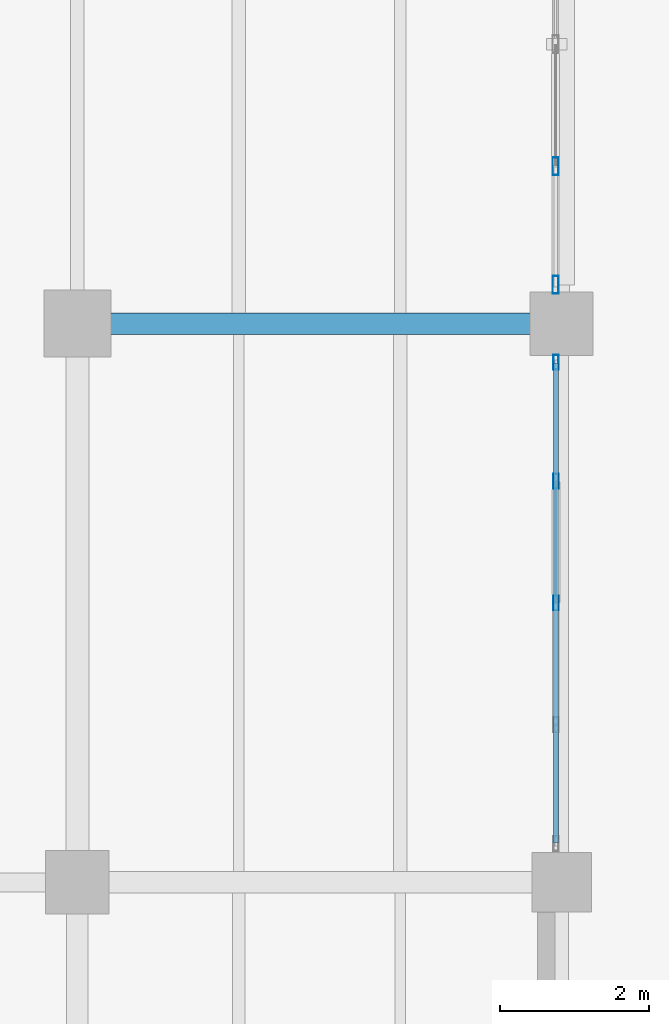
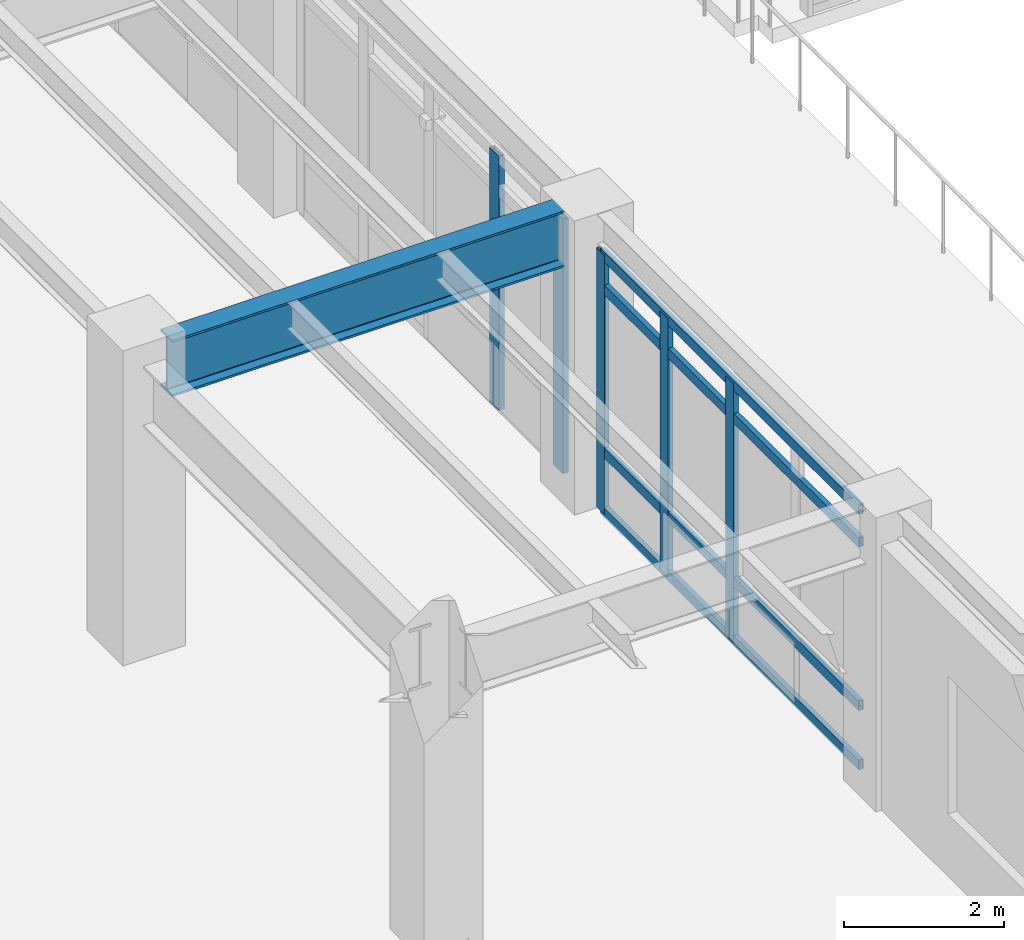
# One storey, part 110 of 200: 9 members, 1 beam, 2 elements without a shape of their own.
"""IFC4 building model written with IfcOpenShell, lengths in metres."""

from ifc_helpers import new_model, si_unit, direction, frame, origin, origin_2d, place, context, subcontext, project, spatial, hollow_rectangle, i_section, extrude, material, material_profile, profile_set, type_object, element, aggregate, save


model = new_model("IFC4")

# Units and contexts
model_context = context("Model", 3, precision=1e-05, world=origin(), true_north=direction((0.0, 1.0)))
body_context = subcontext(model_context, "Body", "Model", "MODEL_VIEW")
ifc_project = project(units=[si_unit("LENGTHUNIT", "METRE"), si_unit("AREAUNIT", "SQUARE_METRE"), si_unit("VOLUMEUNIT", "CUBIC_METRE"), si_unit("PLANEANGLEUNIT", "RADIAN"), si_unit("MASSUNIT", "GRAM", prefix="KILO"), si_unit("THERMODYNAMICTEMPERATUREUNIT", "KELVIN"), si_unit("POWERUNIT", "WATT")], contexts=[model_context])

# Site, building, storey
site_placement = place(None, origin())
site = spatial("IfcSite", under=ifc_project, at=site_placement, CompositionType="ELEMENT")
building_placement = place(site_placement, origin())
building = spatial("IfcBuilding", under=site, at=building_placement, Name="Tepalcoro Natatorium and Aquatics Centre", CompositionType="ELEMENT")
storey_placement = place(building_placement, frame((0.0, 0.0, 5.39990234375)))
storey = spatial("IfcBuildingStorey", under=building, at=storey_placement, Name="L01", CompositionType="ELEMENT", Elevation=5.39990234375)

# Beam
ifc_material_1 = material(Name="Steel ASTM A992 Grade 50 (Fy 345 MPa)", Category="steel")
ifc_material_profile_1 = material_profile(ifc_material_1, i_section(OverallWidth=0.2919921875, OverallDepth=0.85888671875, WebThickness=0.01708984375, FlangeThickness=0.031005859375, FilletRadius=0.013916015625, at=origin_2d()), Name="W33X169")
ifc_profile_set_1 = profile_set([ifc_material_profile_1], Name="Steel ASTM A992 Grade 50 (Fy 345 MPa)")
beam_type = type_object("IfcBeamType", Name="BM_W33x169", PredefinedType="BEAM", material=ifc_profile_set_1)
beam_placement = place(storey_placement, frame((125.43505859375, 20.5, 4.03564453125), z_axis=(1.0, 0.0, 0.0), x_axis=(0.0, 1.0, 0.0)))
element("IfcBeam", 1, at=beam_placement, inside=storey, type_object=beam_type, Name="V1 L01 Grid Girder X", PredefinedType="BEAM", context=body_context, shape_type="SweptSolid", body=[
    extrude(i_section(OverallWidth=0.2919921875, OverallDepth=0.85888671875, WebThickness=0.01708984375, FlangeThickness=0.031005859375, FilletRadius=0.013916015625, at=origin_2d()), origin(), (0.0, 0.0, 1.0), 5.655029296875),
])

# Curtain wall, members
ifc_material_2 = material(Name="Bronze-Anodised Extruded Aluminium Alloy EN AW-6063 T6", Category="aluminium")
curtain_wall_type_1 = type_object("IfcCurtainWallType", Name="CW_LEAN_T2_NS", PredefinedType="USERDEFINED", material=ifc_material_2)
curtain_wall_1_placement = place(storey_placement, origin())
curtain_wall_1 = element("IfcCurtainWall", 2, at=curtain_wall_1_placement, inside=storey, type_object=curtain_wall_type_1, Name="V1 L01 E Unitised Curtain Wall Bay 2", ObjectType="FACETED SOLAR GLAZING", PredefinedType="USERDEFINED")
ifc_material_profile_2 = material_profile(ifc_material_2, hollow_rectangle(XDim=0.070068359375, YDim=0.199951171875, WallThickness=0.0048828125, at=origin_2d()), Name="AL70X200X5")
ifc_profile_set_2 = profile_set([ifc_material_profile_2], Name="Bronze-Anodised Extruded Aluminium Alloy EN AW-6063 T6")
member_type_1 = type_object("IfcMemberType", Name="CW_MUL_70x200", PredefinedType="MULLION", material=ifc_profile_set_2)
member_1_placement = place(storey_placement, frame((131.423828125, 16.75, 0.02001953125), z_axis=(0.0, 0.0, 1.0), x_axis=(1.0, 0.0, 0.0)))
member_1 = element("IfcMember", 3, at=member_1_placement, type_object=member_type_1, Name="CW_LEAN_T2_NS Curtain Wall Mullion", PredefinedType="MULLION", context=body_context, shape_type="SweptSolid", body=[
    extrude(hollow_rectangle(XDim=0.070068359375, YDim=0.199951171875, WallThickness=0.0048828125, at=origin_2d()), origin(), (0.0, 0.0, 1.0), 3.9501953125),
])
member_2_placement = place(storey_placement, frame((131.423828125, 18.385009765625, 0.02001953125), z_axis=(0.0, 0.0, 1.0), x_axis=(1.0, 0.0, 0.0)))
member_2 = element("IfcMember", 4, at=member_2_placement, type_object=member_type_1, Name="CW_LEAN_T2_NS Curtain Wall Mullion", PredefinedType="MULLION", context=body_context, shape_type="SweptSolid", body=[
    extrude(hollow_rectangle(XDim=0.070068359375, YDim=0.199951171875, WallThickness=0.0048828125, at=origin_2d()), origin(), (0.0, 0.0, 1.0), 3.9501953125),
])
member_3_placement = place(storey_placement, frame((131.423828125, 19.97998046875, 0.02001953125), z_axis=(0.0, 0.0, 1.0), x_axis=(1.0, 0.0, 0.0)))
member_3 = element("IfcMember", 5, at=member_3_placement, type_object=member_type_1, Name="CW_LEAN_T2_NS Curtain Wall Mullion", PredefinedType="MULLION", context=body_context, shape_type="SweptSolid", body=[
    extrude(hollow_rectangle(XDim=0.070068359375, YDim=0.199951171875, WallThickness=0.0048828125, at=origin_2d()), origin(), (0.0, 0.0, 1.0), 3.9501953125),
])

curtain_wall_type_2 = type_object("IfcCurtainWallType", Name="CW_LEAN_T2_EW", PredefinedType="USERDEFINED", material=ifc_material_2)
curtain_wall_2_placement = place(storey_placement, origin())
curtain_wall_2 = element("IfcCurtainWall", 6, at=curtain_wall_2_placement, inside=storey, type_object=curtain_wall_type_2, Name="V1 L01 E Unitised Curtain Wall Bay 3", ObjectType="FACETED SOLAR GLAZING", PredefinedType="USERDEFINED")
ifc_material_profile_3 = material_profile(ifc_material_2, hollow_rectangle(XDim=0.080078125, YDim=0.239990234375, WallThickness=0.0048828125, at=origin_2d()), Name="AL80X240X5")
ifc_profile_set_3 = profile_set([ifc_material_profile_3], Name="Bronze-Anodised Extruded Aluminium Alloy EN AW-6063 T6")
member_type_2 = type_object("IfcMemberType", Name="CW_MUL_80x240", PredefinedType="MULLION", material=ifc_profile_set_3)
member_4_placement = place(storey_placement, frame((131.419921875, 21.02001953125, 0.02001953125), z_axis=(0.0, 0.0, 1.0), x_axis=(1.0, 0.0, 0.0)))
member_4 = element("IfcMember", 7, at=member_4_placement, type_object=member_type_2, Name="CW_LEAN_T2_EW Curtain Wall Mullion", PredefinedType="MULLION", context=body_context, shape_type="SweptSolid", body=[
    extrude(hollow_rectangle(XDim=0.080078125, YDim=0.239990234375, WallThickness=0.0048828125, at=origin_2d()), origin(), (0.0, 0.0, 1.0), 3.8740234375),
])
member_5_placement = place(storey_placement, frame((131.419921875, 22.614990234375, 0.02001953125), z_axis=(0.0, 0.0, 1.0), x_axis=(1.0, 0.0, 0.0)))
member_5 = element("IfcMember", 8, at=member_5_placement, type_object=member_type_2, Name="CW_LEAN_T2_EW Curtain Wall Mullion", PredefinedType="MULLION", context=body_context, shape_type="SweptSolid", body=[
    extrude(hollow_rectangle(XDim=0.080078125, YDim=0.239990234375, WallThickness=0.0048828125, at=origin_2d()), origin(), (0.0, 0.0, 1.0), 3.8740234375),
])
aggregate(curtain_wall_2, [member_4, member_5])

# Member
ifc_material_profile_4 = material_profile(ifc_material_2, hollow_rectangle(XDim=0.070068359375, YDim=0.14990234375, WallThickness=0.00390625, at=origin_2d()), Name="AL70X150X4")
ifc_profile_set_4 = profile_set([ifc_material_profile_4], Name="Bronze-Anodised Extruded Aluminium Alloy EN AW-6063 T6")
member_type_3 = type_object("IfcMemberType", Name="CW_TRN_70x150", PredefinedType="USERDEFINED", material=ifc_profile_set_4)
member_6_placement = place(storey_placement, frame((131.423828125, 13.530029296875, 0.050048828125), z_axis=(0.0, 1.0, 0.0), x_axis=(-1.0, 0.0, 0.0)))
member_6 = element("IfcMember", 9, at=member_6_placement, type_object=member_type_3, Name="CW_LEAN_T2_NS Curtain Wall Transom", ObjectType="TRANSOM", PredefinedType="USERDEFINED", context=body_context, shape_type="SweptSolid", body=[
    extrude(hollow_rectangle(XDim=0.070068359375, YDim=0.14990234375, WallThickness=0.00390625, at=origin_2d()), origin(), (0.0, 0.0, 1.0), 6.43994140625),
])

member_7_placement = place(storey_placement, frame((131.423828125, 13.530029296875, 0.9501953125), z_axis=(0.0, 1.0, 0.0), x_axis=(-1.0, 0.0, 0.0)))
member_7 = element("IfcMember", 10, at=member_7_placement, type_object=member_type_3, Name="CW_LEAN_T2_NS Curtain Wall Transom", ObjectType="TRANSOM", PredefinedType="USERDEFINED", context=body_context, shape_type="SweptSolid", body=[
    extrude(hollow_rectangle(XDim=0.070068359375, YDim=0.14990234375, WallThickness=0.00390625, at=origin_2d()), origin(), (0.0, 0.0, 1.0), 6.43994140625),
])

member_8_placement = place(storey_placement, frame((131.423828125, 13.530029296875, 3.440185546875), z_axis=(0.0, 1.0, 0.0), x_axis=(-1.0, 0.0, 0.0)))
member_8 = element("IfcMember", 11, at=member_8_placement, type_object=member_type_3, Name="CW_LEAN_T2_NS Curtain Wall Transom", ObjectType="TRANSOM", PredefinedType="USERDEFINED", context=body_context, shape_type="SweptSolid", body=[
    extrude(hollow_rectangle(XDim=0.070068359375, YDim=0.14990234375, WallThickness=0.00390625, at=origin_2d()), origin(), (0.0, 0.0, 1.0), 6.43994140625),
])

member_9_placement = place(storey_placement, frame((131.423828125, 13.530029296875, 3.940185546875), z_axis=(0.0, 1.0, 0.0), x_axis=(-1.0, 0.0, 0.0)))
member_9 = element("IfcMember", 12, at=member_9_placement, type_object=member_type_3, Name="CW_LEAN_T2_NS Curtain Wall Transom", ObjectType="TRANSOM", PredefinedType="USERDEFINED", context=body_context, shape_type="SweptSolid", body=[
    extrude(hollow_rectangle(XDim=0.070068359375, YDim=0.14990234375, WallThickness=0.00390625, at=origin_2d()), origin(), (0.0, 0.0, 1.0), 6.43994140625),
])

aggregate(curtain_wall_1, [member_1, member_2, member_3, member_6, member_7, member_8, member_9])

save(model, "model.ifc")
